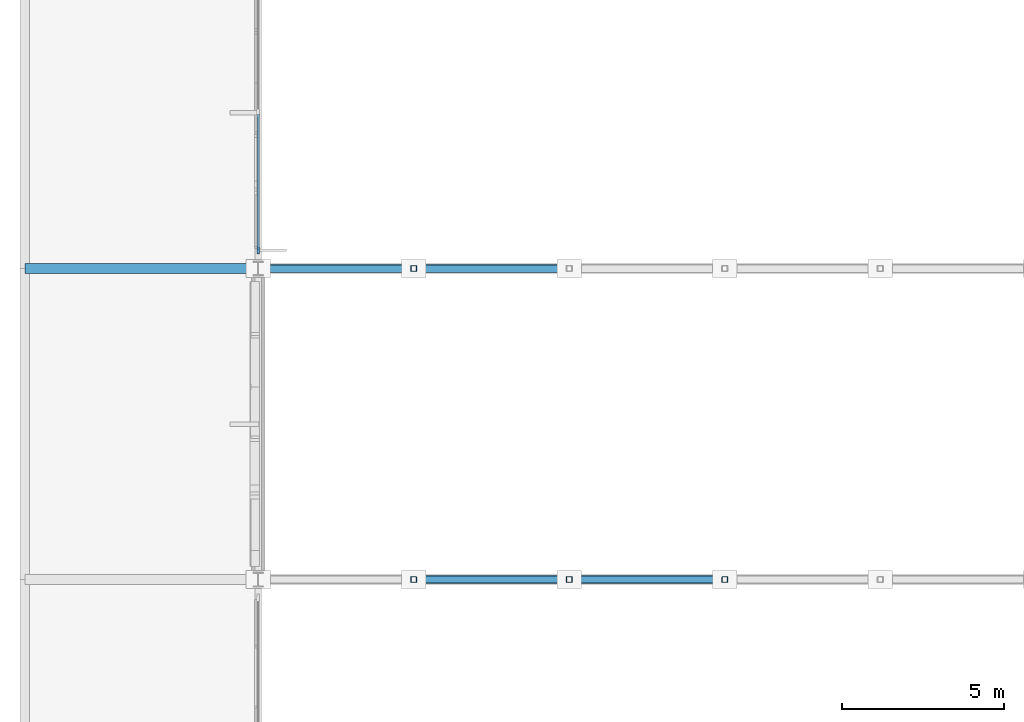
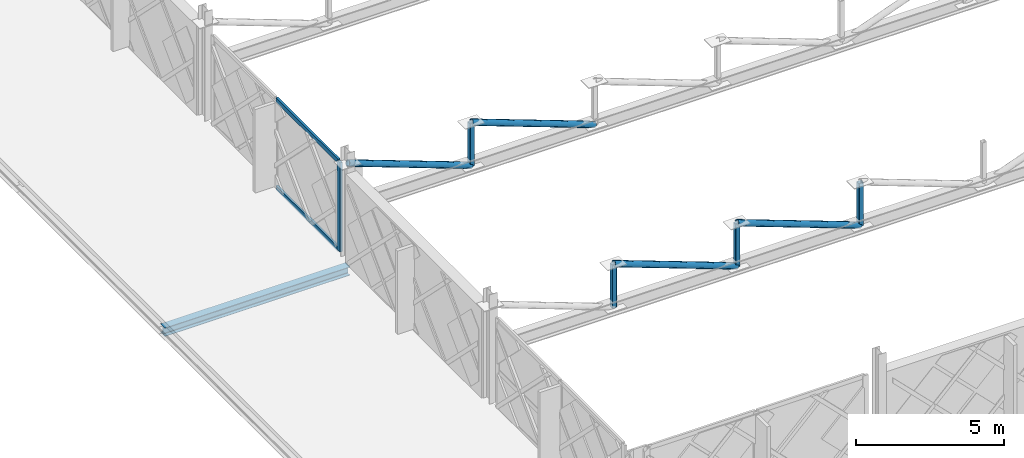
# One storey, part 24 of 101: 11 members, 1 beam, 1 element without a shape of its own.
"""IFC4 building model written with IfcOpenShell, lengths in metres."""

import ifcopenshell
import ifcopenshell.guid

model = None  # the IFC model being written
_history = None  # IfcOwnerHistory: only IFC2X3 demands one
_inside = {}  # id of a spatial element -> (the spatial element, [elements in it])
_under = {}  # id of a project, library or spatial element -> (it, [spatial elements below it])
_declared = {}  # id of a project -> (the project, [libraries it declares])
_typed = {}  # id of a type object -> (the type object, [elements of that type])
_made_of = {}  # id of a material, layer set ... -> (it, [elements and type objects made of it])


def new_model(schema):
    """Start an empty IFC model of exactly this schema.

    Asked for "IFC4X3", IfcOpenShell would pick the latest addendum, in which some entities
    have other attributes; the version numbers below select the first issue.
    IFC2X3 requires an IfcOwnerHistory on every rooted entity: one is made here for all.
    """
    global model, _history
    if schema == "IFC4X3":
        model = ifcopenshell.file(schema_version=(4, 3, 0, 0))
    else:
        model = ifcopenshell.file(schema=schema)
    _inside.clear()
    _under.clear()
    _declared.clear()
    _typed.clear()
    _made_of.clear()
    _history = None
    if model.schema == "IFC2X3":
        org = make("IfcOrganization", Name="unknown")
        user = make(
            "IfcPersonAndOrganization",
            ThePerson=make("IfcPerson", FamilyName="unknown"),
            TheOrganization=org,
        )
        app = make(
            "IfcApplication",
            ApplicationDeveloper=org,
            Version="unknown",
            ApplicationFullName="unknown",
            ApplicationIdentifier="unknown",
        )
        _history = make(
            "IfcOwnerHistory",
            OwningUser=user,
            OwningApplication=app,
            ChangeAction="ADDED",
            CreationDate=0,
        )
    return model


def make(cls, **values):
    """One entity of the class cls with the attributes given. An attribute that is None is left unset."""
    return model.create_entity(
        cls, **{name: value for name, value in values.items() if value is not None}
    )


def rooted(cls, **values):
    """An entity with a GlobalId (a new one), such as an element, a storey or a relation."""
    return make(cls, GlobalId=ifcopenshell.guid.new(), OwnerHistory=_history, **values)


def si_unit(unit_type, name, prefix=None):
    """IfcSIUnit, for example si_unit("LENGTHUNIT", "METRE", prefix="MILLI")."""
    return make("IfcSIUnit", UnitType=unit_type, Prefix=prefix, Name=name)


def assignment(units):
    """IfcUnitAssignment: the units of a project."""
    return None if units is None else make("IfcUnitAssignment", Units=units)


def point(xyz):
    """IfcCartesianPoint."""
    return None if xyz is None else make("IfcCartesianPoint", Coordinates=xyz)


def direction(xyz):
    """IfcDirection."""
    return None if xyz is None else make("IfcDirection", DirectionRatios=xyz)


def frame(location, z_axis=None, x_axis=None):
    """IfcAxis2Placement3D, a coordinate frame: its origin and axes. An axis left out is left unset."""
    return make(
        "IfcAxis2Placement3D",
        Location=point(location),
        Axis=direction(z_axis),
        RefDirection=direction(x_axis),
    )


def frame_2d(location, x_axis=None):
    """IfcAxis2Placement2D, a coordinate frame in the plane: its origin and x axis."""
    return make(
        "IfcAxis2Placement2D", Location=point(location), RefDirection=direction(x_axis)
    )


def origin():
    """The frame at (0, 0, 0) with its axes left unset."""
    return frame((0.0, 0.0, 0.0))


def origin_2d():
    """The frame at (0, 0) in the plane with its x axis left unset."""
    return frame_2d((0.0, 0.0))


def place(relative_to, where):
    """IfcLocalPlacement: puts the frame where relative to a parent placement (None: the world)."""
    return make(
        "IfcLocalPlacement", PlacementRelTo=relative_to, RelativePlacement=where
    )


def context(
    kind, dimensions, precision=None, world=None, true_north=None, identifier=None
):
    """IfcGeometricRepresentationContext, for example the 3D "Model" context."""
    return make(
        "IfcGeometricRepresentationContext",
        ContextIdentifier=identifier,
        ContextType=kind,
        CoordinateSpaceDimension=dimensions,
        Precision=precision,
        WorldCoordinateSystem=world,
        TrueNorth=true_north,
    )


def subcontext(parent, identifier, kind, view, scale=None):
    """IfcGeometricRepresentationSubContext, for example "Body" below "Model"."""
    return make(
        "IfcGeometricRepresentationSubContext",
        ContextIdentifier=identifier,
        ContextType=kind,
        ParentContext=parent,
        TargetScale=scale,
        TargetView=view,
    )


def project(units=None, contexts=None):
    """IfcProject with its units and contexts."""
    return rooted(
        "IfcProject",
        Name="project",
        RepresentationContexts=contexts,
        UnitsInContext=assignment(units),
    )


def spatial(cls, under=None, at=None, **own):
    """A site, building, storey or space (cls), placed at a placement, below another one or the project."""
    s = rooted(cls, ObjectPlacement=at, **own)
    if under is not None:
        _under.setdefault(under.id(), (under, []))[1].append(s)
    return s


def profile(cls, at=None, kind="AREA", **sizes):
    """A parametric profile (cls). Its sizes go by their IFC names, for example OverallWidth=200.0."""
    return make(cls, ProfileType=kind, Position=at, **sizes)


def rectangle(**sizes):
    """IfcRectangleProfileDef."""
    return profile("IfcRectangleProfileDef", **sizes)


def hollow_rectangle(**sizes):
    """IfcRectangleHollowProfileDef."""
    return profile("IfcRectangleHollowProfileDef", **sizes)


def hollow_circle(**sizes):
    """IfcCircleHollowProfileDef."""
    return profile("IfcCircleHollowProfileDef", **sizes)


def i_section(**sizes):
    """IfcIShapeProfileDef."""
    return profile("IfcIShapeProfileDef", **sizes)


def extrude(swept, where, along, depth):
    """IfcExtrudedAreaSolid: the profile swept, set in the frame where, extruded along a direction by depth."""
    return make(
        "IfcExtrudedAreaSolid",
        SweptArea=swept,
        Position=where,
        ExtrudedDirection=direction(along),
        Depth=depth,
    )


def shape(context_of_items, identifier, shape_type, items):
    """IfcShapeRepresentation: the items that make up one representation, for example the "Body"."""
    return make(
        "IfcShapeRepresentation",
        ContextOfItems=context_of_items,
        RepresentationIdentifier=identifier,
        RepresentationType=shape_type,
        Items=items,
    )


def material(Name=None, Category=None):
    """IfcMaterial."""
    return make("IfcMaterial", Name=Name, Category=Category)


def layer(
    of_material, thickness, ventilated=None, Name=None, Category=None, Priority=None
):
    """IfcMaterialLayer: one layer of a wall or slab, of a material (None: an air gap)."""
    return make(
        "IfcMaterialLayer",
        Material=of_material,
        LayerThickness=thickness,
        IsVentilated=ventilated,
        Name=Name,
        Category=Category,
        Priority=Priority,
    )


def layer_set(layers, Name=None):
    """IfcMaterialLayerSet."""
    return make("IfcMaterialLayerSet", MaterialLayers=layers, LayerSetName=Name)


def material_profile(
    of_material, cross_section, Name=None, Category=None, Priority=None
):
    """IfcMaterialProfile: a cross section and its material."""
    return make(
        "IfcMaterialProfile",
        Name=Name,
        Material=of_material,
        Profile=cross_section,
        Priority=Priority,
        Category=Category,
    )


def profile_set(profiles, Name=None, composite=None):
    """IfcMaterialProfileSet."""
    return make(
        "IfcMaterialProfileSet",
        Name=Name,
        MaterialProfiles=profiles,
        CompositeProfile=composite,
    )


def made_of(thing, what):
    """Note that an element or type object is made of a material, layer set ...; save() writes the relation."""
    if what is not None:
        _made_of.setdefault(what.id(), (what, []))[1].append(thing)
    return thing


def type_object(cls, material=None, **own):
    """A type object (cls), such as IfcWallType, which elements share."""
    return made_of(rooted(cls, **own), material)


def element(
    cls,
    number,
    at=None,
    inside=None,
    cuts=None,
    type_object=None,
    material=None,
    context=None,
    identifier="Body",
    shape_type=None,
    held_by="IfcProductDefinitionShape",
    body=None,
    shapes=None,
    **own,
):
    """One element of the class cls, such as IfcWall. Its Tag is "e" and its number.

    at: its placement. inside: the storey or other place that contains it. cuts: it is an
    opening in that element (IfcRelVoidsElement). A single representation is given by context,
    identifier, shape_type and body (its items); several are given by shapes. held_by: the class
    of the entity that holds the representations. save() writes the other relations.
    """
    e = rooted(cls, Tag="e%d" % number, ObjectPlacement=at, **own)
    if body is not None:
        shapes = [shape(context, identifier, shape_type, body)]
    if shapes is not None:
        e.Representation = make(held_by, Representations=shapes)
    if inside is not None:
        _inside.setdefault(inside.id(), (inside, []))[1].append(e)
    if cuts is not None:
        rooted(
            "IfcRelVoidsElement", RelatingBuildingElement=cuts, RelatedOpeningElement=e
        )
    if type_object is not None:
        _typed.setdefault(type_object.id(), (type_object, []))[1].append(e)
    return made_of(e, material)


def aggregate(whole, parts):
    """IfcRelAggregates: a whole, such as a stair, and the parts it consists of."""
    return rooted("IfcRelAggregates", RelatingObject=whole, RelatedObjects=parts)


def save(model, path):
    """Write the relations noted so far, then the file.

    IfcRelAggregates (storeys below a building ...), IfcRelContainedInSpatialStructure (elements
    in a storey), IfcRelDefinesByType, IfcRelAssociatesMaterial and IfcRelDeclares: one each for
    every whole, place, type object, material and project.
    """
    for whole, parts in _under.values():
        aggregate(whole, parts)
    for where, things in _inside.values():
        rooted(
            "IfcRelContainedInSpatialStructure",
            RelatedElements=things,
            RelatingStructure=where,
        )
    for kind, things in _typed.values():
        rooted("IfcRelDefinesByType", RelatedObjects=things, RelatingType=kind)
    for what, things in _made_of.values():
        rooted("IfcRelAssociatesMaterial", RelatedObjects=things, RelatingMaterial=what)
    for by, libraries in _declared.values():
        rooted("IfcRelDeclares", RelatingContext=by, RelatedDefinitions=libraries)
    model.write(path)


model = new_model("IFC4")

# Units and contexts
model_context = context("Model", 3, precision=1e-05, world=origin(), true_north=direction((0.0, 1.0)))
body_context = subcontext(model_context, "Body", "Model", "MODEL_VIEW")
ifc_project = project(units=[si_unit("LENGTHUNIT", "METRE"), si_unit("AREAUNIT", "SQUARE_METRE"), si_unit("VOLUMEUNIT", "CUBIC_METRE"), si_unit("PLANEANGLEUNIT", "RADIAN"), si_unit("MASSUNIT", "GRAM", prefix="KILO")], contexts=[model_context])

# Site, building, storey
site_placement = place(None, origin())
site = spatial("IfcSite", under=ifc_project, at=site_placement, CompositionType="ELEMENT")
building_placement = place(site_placement, origin())
building = spatial("IfcBuilding", under=site, at=building_placement, Name="Zevrakil Square Congress Hotel", CompositionType="ELEMENT")
storey_placement = place(building_placement, frame((0.0, 0.0, 5.39990234375)))
storey = spatial("IfcBuildingStorey", under=building, at=storey_placement, Name="L02", CompositionType="ELEMENT", Elevation=5.39990234375)

# Beam
ifc_material_1 = material(Name="Steel S355", Category="steel")
ifc_material_profile_1 = material_profile(ifc_material_1, i_section(OverallWidth=0.300048828125, OverallDepth=0.35009765625, WebThickness=0.010009765625, FlangeThickness=0.017578125, FilletRadius=0.027099609375, at=origin_2d()), Name="HEA 360")
ifc_profile_set_1 = profile_set([ifc_material_profile_1], Name="Steel S355")
beam_type = type_object("IfcBeamType", Name="BM-HEA360", PredefinedType="BEAM", material=ifc_profile_set_1)
beam_placement = place(storey_placement, frame((0.0, 26.39990234375, -0.434814453125), z_axis=(1.0, 0.0, 0.0), x_axis=(0.0, 1.0, 0.0)))
element("IfcBeam", 1, at=beam_placement, inside=storey, type_object=beam_type, Name="L02 primary girder BX-0707", PredefinedType="BEAM", context=body_context, shape_type="SweptSolid", body=[
    extrude(i_section(OverallWidth=0.300048828125, OverallDepth=0.35009765625, WebThickness=0.010009765625, FlangeThickness=0.017578125, FilletRadius=0.027099609375, at=origin_2d()), origin(), (0.0, 0.0, 1.0), 7.199951171875),
])

# Curtain wall, members
ifc_material_2 = material(Name="Aluminium Anodised Bronze", Category="aluminium")
ifc_layer = layer(ifc_material_2, 0.179931640625)
ifc_layer_set = layer_set([ifc_layer], Name="Aluminium Anodised Bronze")
curtain_wall_type = type_object("IfcCurtainWallType", Name="CW-L02-840", PredefinedType="USERDEFINED", material=ifc_layer_set)
curtain_wall_placement = place(storey_placement, origin())
curtain_wall = element("IfcCurtainWall", 2, at=curtain_wall_placement, inside=storey, type_object=curtain_wall_type, Name="L02 diamond curtain wall CW-L02-0019", ObjectType="GLAZED CURTAIN WALL", PredefinedType="USERDEFINED")
ifc_material_3 = material(Name="Aluminium Anodised Bronze", Category="aluminium")
ifc_material_profile_2 = material_profile(ifc_material_3, rectangle(XDim=0.0849609375, YDim=0.179931640625, at=origin_2d()), Name="ALU 85x180")
ifc_profile_set_2 = profile_set([ifc_material_profile_2], Name="Aluminium Anodised Bronze")
member_type_1 = type_object("IfcMemberType", Name="CWM-ALU85x180", PredefinedType="USERDEFINED", material=ifc_profile_set_2)
member_1_placement = place(storey_placement, frame((7.199951171875, 26.97998046875, 0.030029296875), z_axis=(0.0, 1.0, 0.0), x_axis=(-1.0, 0.0, 0.0)))
member_1 = element("IfcMember", 3, at=member_1_placement, type_object=member_type_1, Name="CW-23 transom 1.1", ObjectType="TRANSOM", PredefinedType="USERDEFINED", context=body_context, shape_type="SweptSolid", body=[
    extrude(rectangle(XDim=0.0849609375, YDim=0.179931640625, at=origin_2d()), origin(), (0.0, 0.0, 1.0), 4.18994140625),
])
member_2_placement = place(storey_placement, frame((7.199951171875, 26.97998046875, 3.64501953125), z_axis=(0.0, 1.0, 0.0), x_axis=(-1.0, 0.0, 0.0)))
member_2 = element("IfcMember", 4, at=member_2_placement, type_object=member_type_1, Name="CW-23 transom 1.2", ObjectType="TRANSOM", PredefinedType="USERDEFINED", context=body_context, shape_type="SweptSolid", body=[
    extrude(rectangle(XDim=0.0849609375, YDim=0.179931640625, at=origin_2d()), origin(), (0.0, 0.0, 1.0), 4.18994140625),
])
ifc_material_4 = material(Name="Aluminium Anodised Bronze", Category="aluminium")
ifc_material_profile_3 = material_profile(ifc_material_4, rectangle(XDim=0.0849609375, YDim=0.219970703125, at=origin_2d()), Name="ALU 85x220")
ifc_profile_set_3 = profile_set([ifc_material_profile_3], Name="Aluminium Anodised Bronze")
member_type_2 = type_object("IfcMemberType", Name="CWM-ALU85x220", PredefinedType="MULLION", material=ifc_profile_set_3)
member_3_placement = place(storey_placement, frame((7.199951171875, 26.949951171875, 0.0), z_axis=(0.0, 0.0, 1.0), x_axis=(-1.0, 0.0, 0.0)))
member_3 = element("IfcMember", 5, at=member_3_placement, type_object=member_type_2, Name="CW-23 mullion 1", PredefinedType="MULLION", context=body_context, shape_type="SweptSolid", body=[
    extrude(rectangle(XDim=0.0849609375, YDim=0.219970703125, at=origin_2d()), origin(), (0.0, 0.0, 1.0), 3.675048828125),
])
aggregate(curtain_wall, [member_3, member_1, member_2])

# Members
ifc_material_5 = material(Name="Steel S355", Category="steel")
ifc_material_profile_4 = material_profile(ifc_material_5, hollow_circle(Radius=0.122314453125, WallThickness=0.012451171875, at=origin_2d()), Name="CHS 244.5x12.5")
ifc_profile_set_4 = profile_set([ifc_material_profile_4], Name="Steel S355")
member_type_3 = type_object("IfcMemberType", Name="MEM-BRACE-CHS244", PredefinedType="BRACE", material=ifc_profile_set_4)
for number, where, z_axis, x_axis, name in (
    (6, (12.0, 16.800048828125, 3.925048828125), (0.937932774607, 0.0, -0.346817113646), (0.0, 1.0, 0.0), "Ballroom Pratt truss diagonal BTD-11"),
    (7, (16.800048828125, 16.800048828125, 3.925048828125), (0.937932774607, 0.0, -0.346817113646), (0.0, 1.0, 0.0), "Ballroom Pratt truss diagonal BTD-12"),
    (8, (7.199951171875, 26.39990234375, 3.925048828125), (0.937932774607, 0.0, -0.346817113646), (0.0, 1.0, 0.0), "Ballroom Pratt truss diagonal BTD-20"),
    (9, (12.0, 26.39990234375, 3.925048828125), (0.937932774607, 0.0, -0.346817113646), (0.0, 1.0, 0.0), "Ballroom Pratt truss diagonal BTD-21"),
):
    element("IfcMember", number, at=place(storey_placement, frame(where, z_axis=z_axis, x_axis=x_axis)), inside=storey, type_object=member_type_3, Name=name, PredefinedType="BRACE", context=body_context, shape_type="SweptSolid", body=[
        extrude(hollow_circle(Radius=0.122314453125, WallThickness=0.012451171875, at=origin_2d()), origin(), (0.0, 0.0, 1.0), 5.11767578125),
    ])
ifc_material_6 = material(Name="Steel S355", Category="steel")
ifc_material_profile_5 = material_profile(ifc_material_6, hollow_rectangle(XDim=0.179931640625, YDim=0.179931640625, WallThickness=0.010009765625, InnerFilletRadius=0.010009765625, OuterFilletRadius=0.02001953125, at=origin_2d()), Name="SHS 180x180x10")
ifc_profile_set_5 = profile_set([ifc_material_profile_5], Name="Steel S355")
member_type_4 = type_object("IfcMemberType", Name="MEM-BRACE-SHS180", PredefinedType="BRACE", material=ifc_profile_set_5)
for number, where, z_axis, x_axis, name in (
    (10, (12.0, 16.800048828125, 2.150146484375), (0.0, 0.0, 1.0), (1.0, 0.0, 0.0), "Ballroom Pratt truss vertical BTV-11"),
    (11, (16.800048828125, 16.800048828125, 2.150146484375), (0.0, 0.0, 1.0), (1.0, 0.0, 0.0), "Ballroom Pratt truss vertical BTV-12"),
    (12, (21.60009765625, 16.800048828125, 2.150146484375), (0.0, 0.0, 1.0), (1.0, 0.0, 0.0), "Ballroom Pratt truss vertical BTV-13"),
    (13, (12.0, 26.39990234375, 2.150146484375), (0.0, 0.0, 1.0), (1.0, 0.0, 0.0), "Ballroom Pratt truss vertical BTV-21"),
):
    element("IfcMember", number, at=place(storey_placement, frame(where, z_axis=z_axis, x_axis=x_axis)), inside=storey, type_object=member_type_4, Name=name, PredefinedType="BRACE", context=body_context, shape_type="SweptSolid", body=[
        extrude(hollow_rectangle(XDim=0.179931640625, YDim=0.179931640625, WallThickness=0.010009765625, InnerFilletRadius=0.010009765625, OuterFilletRadius=0.02001953125, at=origin_2d()), origin(), (0.0, 0.0, 1.0), 1.77490234375),
    ])

save(model, "model.ifc")
